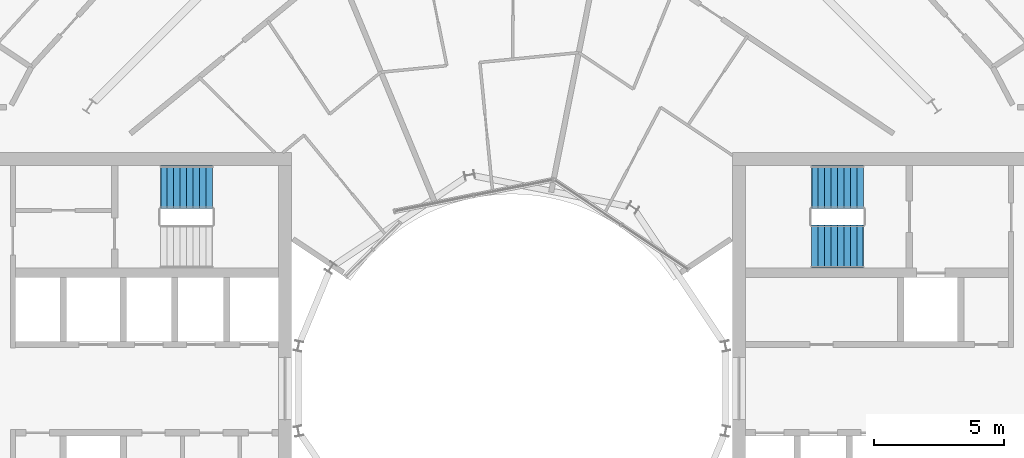
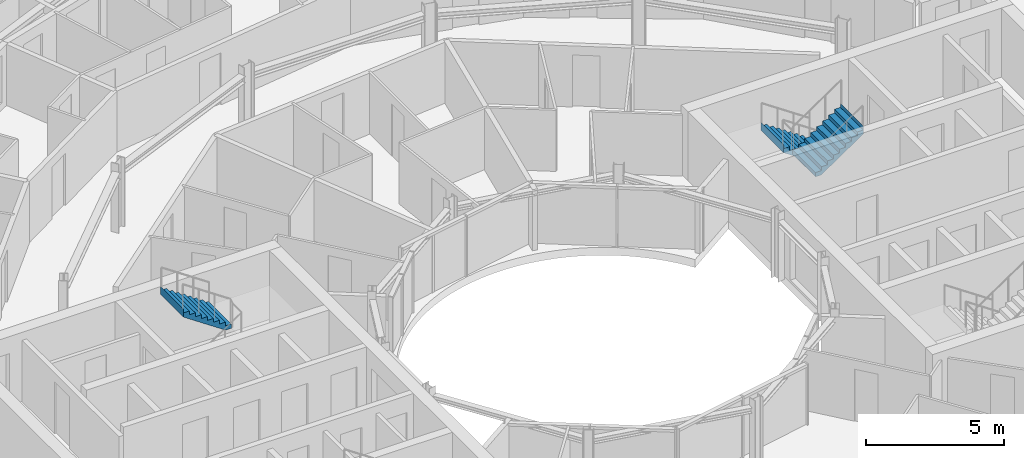
# One storey, part 25 of 27: 3 stair flights, 2 elements without a shape of their own.
"""IFC4 building model written with IfcOpenShell, lengths in metres."""

from ifc_helpers import new_model, si_unit, direction, frame, origin, place, context, subcontext, project, spatial, triangles, material, type_object, element, aggregate, save


model = new_model("IFC4")

# Units and contexts
model_context = context("Model", 3, precision=1e-05, world=origin(), true_north=direction((0.0, 1.0)))
body_context = subcontext(model_context, "Body", "Model", "MODEL_VIEW")
ifc_project = project(units=[si_unit("LENGTHUNIT", "METRE"), si_unit("AREAUNIT", "SQUARE_METRE"), si_unit("VOLUMEUNIT", "CUBIC_METRE"), si_unit("PLANEANGLEUNIT", "RADIAN"), si_unit("MASSUNIT", "GRAM", prefix="KILO")], contexts=[model_context])

# Site, building, storey
site_placement = place(None, origin())
site = spatial("IfcSite", under=ifc_project, at=site_placement, CompositionType="ELEMENT")
building_placement = place(site_placement, origin())
building = spatial("IfcBuilding", under=site, at=building_placement, Name="Maasbend Ring Residences", CompositionType="ELEMENT")
storey_placement = place(building_placement, frame((0.0, 0.0, 148.25)))
storey = spatial("IfcBuildingStorey", under=building, at=storey_placement, Name="L42", CompositionType="ELEMENT", Elevation=148.25)

# Stair, stair flights
ifc_material_1 = material(Name="Concrete C40/50", Category="concrete")
stair_type = type_object("IfcStairType", Name="CORE STAIR 18 RISERS", PredefinedType="HALF_TURN_STAIR", material=ifc_material_1)
stair_1_placement = place(storey_placement, origin())
stair_1 = element("IfcStair", 1, at=stair_1_placement, inside=storey, type_object=stair_type, Name="L42 Exit stair ST-E1", PredefinedType="HALF_TURN_STAIR")
ifc_material_2 = material(Name="Concrete C40/50", Category="concrete")
stair_flight_type = type_object("IfcStairFlightType", Name="CORE STAIR FLIGHT 1650", PredefinedType="STRAIGHT", material=ifc_material_2)
stair_flight_1_placement = place(storey_placement, frame((13.550048828125, 7.77490234375, 0.0), z_axis=(0.0, 0.0, 1.0), x_axis=(-1.0, 0.0, 0.0)))
stair_flight_1 = element("IfcStairFlight", 2, at=stair_flight_1_placement, type_object=stair_flight_type, Name="ST-E1 flight 1", NumberOfRisers=9, NumberOfTreads=8, PredefinedType="STRAIGHT", RiserHeight=0.169444444, TreadLength=0.25, context=body_context, shape_type="Tessellation", body=[
    triangles([(0.24072265625, 0.824951171875, -0.02001953125), (2.0029296875, 0.824951171875, 1.174560546875), (2.0029296875, 0.824951171875, 1.52490234375), (1.989990234375, 0.824951171875, 1.35546875), (1.75, 0.824951171875, 1.35546875), (1.75, 0.824951171875, 1.18603515625), (1.5, 0.824951171875, 1.18603515625), (1.5, 0.824951171875, 1.0166015625), (1.25, 0.824951171875, 1.0166015625), (1.25, 0.824951171875, 0.84716796875), (1.0, 0.824951171875, 0.84716796875), (1.0, 0.824951171875, 0.677734375), (0.75, 0.824951171875, 0.677734375), (0.75, 0.824951171875, 0.50830078125), (0.5, 0.824951171875, 0.50830078125), (0.5, 0.824951171875, 0.3388671875), (0.25, 0.824951171875, 0.3388671875), (0.25, 0.824951171875, 0.16943359375), (0.0, 0.824951171875, 0.16943359375), (0.0, 0.824951171875, 0.0), (-0.0029296875, 0.824951171875, 0.0), (-0.0029296875, 0.824951171875, -0.02001953125), (0.24072265625, 0.27490234375, -0.02001953125), (2.0029296875, 0.27490234375, 1.174560546875), (2.0029296875, 0.27490234375, 1.52490234375), (1.989990234375, 0.27490234375, 1.35546875), (1.75, 0.27490234375, 1.35546875), (1.75, 0.27490234375, 1.18603515625), (1.5, 0.27490234375, 1.18603515625), (1.5, 0.27490234375, 1.0166015625), (1.25, 0.27490234375, 1.0166015625), (1.25, 0.27490234375, 0.84716796875), (1.0, 0.27490234375, 0.84716796875), (1.0, 0.27490234375, 0.677734375), (0.75, 0.27490234375, 0.677734375), (0.75, 0.27490234375, 0.50830078125), (0.5, 0.27490234375, 0.50830078125), (0.5, 0.27490234375, 0.3388671875), (0.25, 0.27490234375, 0.3388671875), (0.25, 0.27490234375, 0.16943359375), (0.0, 0.27490234375, 0.16943359375), (0.0, 0.27490234375, 0.0), (-0.0029296875, 0.27490234375, 0.0), (-0.0029296875, 0.27490234375, -0.02001953125), (0.24072265625, -0.27490234375, -0.02001953125), (2.0029296875, -0.27490234375, 1.174560546875), (2.0029296875, -0.27490234375, 1.52490234375), (1.989990234375, -0.27490234375, 1.35546875), (1.75, -0.27490234375, 1.35546875), (1.75, -0.27490234375, 1.18603515625), (1.5, -0.27490234375, 1.18603515625), (1.5, -0.27490234375, 1.0166015625), (1.25, -0.27490234375, 1.0166015625), (1.25, -0.27490234375, 0.84716796875), (1.0, -0.27490234375, 0.84716796875), (1.0, -0.27490234375, 0.677734375), (0.75, -0.27490234375, 0.677734375), (0.75, -0.27490234375, 0.50830078125), (0.5, -0.27490234375, 0.50830078125), (0.5, -0.27490234375, 0.3388671875), (0.25, -0.27490234375, 0.3388671875), (0.25, -0.27490234375, 0.16943359375), (0.0, -0.27490234375, 0.16943359375), (0.0, -0.27490234375, 0.0), (-0.0029296875, -0.27490234375, 0.0), (-0.0029296875, -0.27490234375, -0.02001953125), (0.24072265625, -0.824951171875, -0.02001953125), (2.0029296875, -0.824951171875, 1.174560546875), (2.0029296875, -0.824951171875, 1.52490234375), (1.989990234375, -0.824951171875, 1.35546875), (1.75, -0.824951171875, 1.35546875), (1.75, -0.824951171875, 1.18603515625), (1.5, -0.824951171875, 1.18603515625), (1.5, -0.824951171875, 1.0166015625), (1.25, -0.824951171875, 1.0166015625), (1.25, -0.824951171875, 0.84716796875), (1.0, -0.824951171875, 0.84716796875), (1.0, -0.824951171875, 0.677734375), (0.75, -0.824951171875, 0.677734375), (0.75, -0.824951171875, 0.50830078125), (0.5, -0.824951171875, 0.50830078125), (0.5, -0.824951171875, 0.3388671875), (0.25, -0.824951171875, 0.3388671875), (0.25, -0.824951171875, 0.16943359375), (0.0, -0.824951171875, 0.16943359375), (0.0, -0.824951171875, 0.0), (-0.0029296875, -0.824951171875, 0.0), (-0.0029296875, -0.824951171875, -0.02001953125)], [[1, 2, 24], [1, 24, 23], [23, 24, 46], [23, 46, 45], [45, 46, 68], [45, 68, 67], [2, 3, 25], [2, 25, 24], [24, 25, 47], [24, 47, 46], [46, 47, 69], [46, 69, 68], [3, 4, 26], [3, 26, 25], [25, 26, 48], [25, 48, 47], [47, 48, 70], [47, 70, 69], [4, 5, 27], [4, 27, 26], [26, 27, 49], [26, 49, 48], [48, 49, 71], [48, 71, 70], [5, 6, 28], [5, 28, 27], [27, 28, 50], [27, 50, 49], [49, 50, 72], [49, 72, 71], [6, 7, 29], [6, 29, 28], [28, 29, 51], [28, 51, 50], [50, 51, 73], [50, 73, 72], [7, 8, 30], [7, 30, 29], [29, 30, 52], [29, 52, 51], [51, 52, 74], [51, 74, 73], [8, 9, 31], [8, 31, 30], [30, 31, 53], [30, 53, 52], [52, 53, 75], [52, 75, 74], [9, 10, 32], [9, 32, 31], [31, 32, 54], [31, 54, 53], [53, 54, 76], [53, 76, 75], [10, 11, 33], [10, 33, 32], [32, 33, 55], [32, 55, 54], [54, 55, 77], [54, 77, 76], [11, 12, 34], [11, 34, 33], [33, 34, 56], [33, 56, 55], [55, 56, 78], [55, 78, 77], [12, 13, 35], [12, 35, 34], [34, 35, 57], [34, 57, 56], [56, 57, 79], [56, 79, 78], [13, 14, 36], [13, 36, 35], [35, 36, 58], [35, 58, 57], [57, 58, 80], [57, 80, 79], [14, 15, 37], [14, 37, 36], [36, 37, 59], [36, 59, 58], [58, 59, 81], [58, 81, 80], [15, 16, 38], [15, 38, 37], [37, 38, 60], [37, 60, 59], [59, 60, 82], [59, 82, 81], [16, 17, 39], [16, 39, 38], [38, 39, 61], [38, 61, 60], [60, 61, 83], [60, 83, 82], [17, 18, 40], [17, 40, 39], [39, 40, 62], [39, 62, 61], [61, 62, 84], [61, 84, 83], [18, 19, 41], [18, 41, 40], [40, 41, 63], [40, 63, 62], [62, 63, 85], [62, 85, 84], [19, 20, 42], [19, 42, 41], [41, 42, 64], [41, 64, 63], [63, 64, 86], [63, 86, 85], [20, 21, 43], [20, 43, 42], [42, 43, 65], [42, 65, 64], [64, 65, 87], [64, 87, 86], [21, 22, 44], [21, 44, 43], [43, 44, 66], [43, 66, 65], [65, 66, 88], [65, 88, 87], [22, 1, 23], [22, 23, 44], [44, 23, 45], [44, 45, 66], [66, 45, 67], [66, 67, 88], [22, 2, 1], [2, 4, 3], [2, 5, 4], [2, 6, 5], [22, 6, 2], [6, 8, 7], [22, 8, 6], [8, 10, 9], [22, 10, 8], [10, 12, 11], [22, 12, 10], [12, 14, 13], [22, 14, 12], [14, 16, 15], [22, 16, 14], [16, 18, 17], [22, 18, 16], [18, 20, 19], [22, 20, 18], [20, 22, 21], [88, 67, 68], [68, 69, 70], [68, 70, 71], [68, 71, 72], [88, 68, 72], [72, 73, 74], [88, 72, 74], [74, 75, 76], [88, 74, 76], [76, 77, 78], [88, 76, 78], [78, 79, 80], [88, 78, 80], [80, 81, 82], [88, 80, 82], [82, 83, 84], [88, 82, 84], [84, 85, 86], [88, 84, 86], [86, 87, 88]], closed=True),
])
stair_flight_2_placement = place(storey_placement, frame((11.550048828125, 5.47509765625, 1.52490234375), z_axis=(0.0, 0.0, 1.0), x_axis=(1.0, 0.0, 0.0)))
stair_flight_2 = element("IfcStairFlight", 3, at=stair_flight_2_placement, type_object=stair_flight_type, Name="ST-E1 flight 2", NumberOfRisers=9, NumberOfTreads=8, PredefinedType="STRAIGHT", RiserHeight=0.169444444, TreadLength=0.25, context=body_context, shape_type="Tessellation", body=[
    triangles([(0.24072265625, 0.824951171875, -0.02001953125), (2.0029296875, 0.824951171875, 1.174560546875), (2.0029296875, 0.824951171875, 1.52490234375), (1.989990234375, 0.824951171875, 1.35546875), (1.75, 0.824951171875, 1.35546875), (1.75, 0.824951171875, 1.18603515625), (1.5, 0.824951171875, 1.18603515625), (1.5, 0.824951171875, 1.0166015625), (1.25, 0.824951171875, 1.0166015625), (1.25, 0.824951171875, 0.84716796875), (1.0, 0.824951171875, 0.84716796875), (1.0, 0.824951171875, 0.677734375), (0.75, 0.824951171875, 0.677734375), (0.75, 0.824951171875, 0.50830078125), (0.5, 0.824951171875, 0.50830078125), (0.5, 0.824951171875, 0.3388671875), (0.25, 0.824951171875, 0.3388671875), (0.25, 0.824951171875, 0.16943359375), (0.0, 0.824951171875, 0.16943359375), (0.0, 0.824951171875, 0.0), (-0.0029296875, 0.824951171875, 0.0), (-0.0029296875, 0.824951171875, -0.02001953125), (0.24072265625, 0.27490234375, -0.02001953125), (2.0029296875, 0.27490234375, 1.174560546875), (2.0029296875, 0.27490234375, 1.52490234375), (1.989990234375, 0.27490234375, 1.35546875), (1.75, 0.27490234375, 1.35546875), (1.75, 0.27490234375, 1.18603515625), (1.5, 0.27490234375, 1.18603515625), (1.5, 0.27490234375, 1.0166015625), (1.25, 0.27490234375, 1.0166015625), (1.25, 0.27490234375, 0.84716796875), (1.0, 0.27490234375, 0.84716796875), (1.0, 0.27490234375, 0.677734375), (0.75, 0.27490234375, 0.677734375), (0.75, 0.27490234375, 0.50830078125), (0.5, 0.27490234375, 0.50830078125), (0.5, 0.27490234375, 0.3388671875), (0.25, 0.27490234375, 0.3388671875), (0.25, 0.27490234375, 0.16943359375), (0.0, 0.27490234375, 0.16943359375), (0.0, 0.27490234375, 0.0), (-0.0029296875, 0.27490234375, 0.0), (-0.0029296875, 0.27490234375, -0.02001953125), (0.24072265625, -0.27490234375, -0.02001953125), (2.0029296875, -0.27490234375, 1.174560546875), (2.0029296875, -0.27490234375, 1.52490234375), (1.989990234375, -0.27490234375, 1.35546875), (1.75, -0.27490234375, 1.35546875), (1.75, -0.27490234375, 1.18603515625), (1.5, -0.27490234375, 1.18603515625), (1.5, -0.27490234375, 1.0166015625), (1.25, -0.27490234375, 1.0166015625), (1.25, -0.27490234375, 0.84716796875), (1.0, -0.27490234375, 0.84716796875), (1.0, -0.27490234375, 0.677734375), (0.75, -0.27490234375, 0.677734375), (0.75, -0.27490234375, 0.50830078125), (0.5, -0.27490234375, 0.50830078125), (0.5, -0.27490234375, 0.3388671875), (0.25, -0.27490234375, 0.3388671875), (0.25, -0.27490234375, 0.16943359375), (0.0, -0.27490234375, 0.16943359375), (0.0, -0.27490234375, 0.0), (-0.0029296875, -0.27490234375, 0.0), (-0.0029296875, -0.27490234375, -0.02001953125), (0.24072265625, -0.824951171875, -0.02001953125), (2.0029296875, -0.824951171875, 1.174560546875), (2.0029296875, -0.824951171875, 1.52490234375), (1.989990234375, -0.824951171875, 1.35546875), (1.75, -0.824951171875, 1.35546875), (1.75, -0.824951171875, 1.18603515625), (1.5, -0.824951171875, 1.18603515625), (1.5, -0.824951171875, 1.0166015625), (1.25, -0.824951171875, 1.0166015625), (1.25, -0.824951171875, 0.84716796875), (1.0, -0.824951171875, 0.84716796875), (1.0, -0.824951171875, 0.677734375), (0.75, -0.824951171875, 0.677734375), (0.75, -0.824951171875, 0.50830078125), (0.5, -0.824951171875, 0.50830078125), (0.5, -0.824951171875, 0.3388671875), (0.25, -0.824951171875, 0.3388671875), (0.25, -0.824951171875, 0.16943359375), (0.0, -0.824951171875, 0.16943359375), (0.0, -0.824951171875, 0.0), (-0.0029296875, -0.824951171875, 0.0), (-0.0029296875, -0.824951171875, -0.02001953125)], [[1, 2, 24], [1, 24, 23], [23, 24, 46], [23, 46, 45], [45, 46, 68], [45, 68, 67], [2, 3, 25], [2, 25, 24], [24, 25, 47], [24, 47, 46], [46, 47, 69], [46, 69, 68], [3, 4, 26], [3, 26, 25], [25, 26, 48], [25, 48, 47], [47, 48, 70], [47, 70, 69], [4, 5, 27], [4, 27, 26], [26, 27, 49], [26, 49, 48], [48, 49, 71], [48, 71, 70], [5, 6, 28], [5, 28, 27], [27, 28, 50], [27, 50, 49], [49, 50, 72], [49, 72, 71], [6, 7, 29], [6, 29, 28], [28, 29, 51], [28, 51, 50], [50, 51, 73], [50, 73, 72], [7, 8, 30], [7, 30, 29], [29, 30, 52], [29, 52, 51], [51, 52, 74], [51, 74, 73], [8, 9, 31], [8, 31, 30], [30, 31, 53], [30, 53, 52], [52, 53, 75], [52, 75, 74], [9, 10, 32], [9, 32, 31], [31, 32, 54], [31, 54, 53], [53, 54, 76], [53, 76, 75], [10, 11, 33], [10, 33, 32], [32, 33, 55], [32, 55, 54], [54, 55, 77], [54, 77, 76], [11, 12, 34], [11, 34, 33], [33, 34, 56], [33, 56, 55], [55, 56, 78], [55, 78, 77], [12, 13, 35], [12, 35, 34], [34, 35, 57], [34, 57, 56], [56, 57, 79], [56, 79, 78], [13, 14, 36], [13, 36, 35], [35, 36, 58], [35, 58, 57], [57, 58, 80], [57, 80, 79], [14, 15, 37], [14, 37, 36], [36, 37, 59], [36, 59, 58], [58, 59, 81], [58, 81, 80], [15, 16, 38], [15, 38, 37], [37, 38, 60], [37, 60, 59], [59, 60, 82], [59, 82, 81], [16, 17, 39], [16, 39, 38], [38, 39, 61], [38, 61, 60], [60, 61, 83], [60, 83, 82], [17, 18, 40], [17, 40, 39], [39, 40, 62], [39, 62, 61], [61, 62, 84], [61, 84, 83], [18, 19, 41], [18, 41, 40], [40, 41, 63], [40, 63, 62], [62, 63, 85], [62, 85, 84], [19, 20, 42], [19, 42, 41], [41, 42, 64], [41, 64, 63], [63, 64, 86], [63, 86, 85], [20, 21, 43], [20, 43, 42], [42, 43, 65], [42, 65, 64], [64, 65, 87], [64, 87, 86], [21, 22, 44], [21, 44, 43], [43, 44, 66], [43, 66, 65], [65, 66, 88], [65, 88, 87], [22, 1, 23], [22, 23, 44], [44, 23, 45], [44, 45, 66], [66, 45, 67], [66, 67, 88], [22, 2, 1], [2, 4, 3], [2, 5, 4], [2, 6, 5], [22, 6, 2], [6, 8, 7], [22, 8, 6], [8, 10, 9], [22, 10, 8], [10, 12, 11], [22, 12, 10], [12, 14, 13], [22, 14, 12], [14, 16, 15], [22, 16, 14], [16, 18, 17], [22, 18, 16], [18, 20, 19], [22, 20, 18], [20, 22, 21], [88, 67, 68], [68, 69, 70], [68, 70, 71], [68, 71, 72], [88, 68, 72], [72, 73, 74], [88, 72, 74], [74, 75, 76], [88, 74, 76], [76, 77, 78], [88, 76, 78], [78, 79, 80], [88, 78, 80], [80, 81, 82], [88, 80, 82], [82, 83, 84], [88, 82, 84], [84, 85, 86], [88, 84, 86], [86, 87, 88]], closed=True),
])
aggregate(stair_1, [stair_flight_1, stair_flight_2])

# Stair, stair flight
stair_2_placement = place(storey_placement, origin())
stair_2 = element("IfcStair", 4, at=stair_2_placement, inside=storey, type_object=stair_type, Name="L42 Exit stair ST-W2", PredefinedType="HALF_TURN_STAIR")
stair_flight_3_placement = place(storey_placement, frame((-11.550048828125, 7.77490234375, 1.52490234375), z_axis=(0.0, 0.0, 1.0), x_axis=(-1.0, 0.0, 0.0)))
stair_flight_3 = element("IfcStairFlight", 5, at=stair_flight_3_placement, type_object=stair_flight_type, Name="ST-W2 flight 2", NumberOfRisers=9, NumberOfTreads=8, PredefinedType="STRAIGHT", RiserHeight=0.169444444, TreadLength=0.25, context=body_context, shape_type="Tessellation", body=[
    triangles([(0.24072265625, 0.824951171875, -0.02001953125), (2.0029296875, 0.824951171875, 1.174560546875), (2.0029296875, 0.824951171875, 1.52490234375), (1.989990234375, 0.824951171875, 1.35546875), (1.75, 0.824951171875, 1.35546875), (1.75, 0.824951171875, 1.18603515625), (1.5, 0.824951171875, 1.18603515625), (1.5, 0.824951171875, 1.0166015625), (1.25, 0.824951171875, 1.0166015625), (1.25, 0.824951171875, 0.84716796875), (1.0, 0.824951171875, 0.84716796875), (1.0, 0.824951171875, 0.677734375), (0.75, 0.824951171875, 0.677734375), (0.75, 0.824951171875, 0.50830078125), (0.5, 0.824951171875, 0.50830078125), (0.5, 0.824951171875, 0.3388671875), (0.25, 0.824951171875, 0.3388671875), (0.25, 0.824951171875, 0.16943359375), (0.0, 0.824951171875, 0.16943359375), (0.0, 0.824951171875, 0.0), (-0.0029296875, 0.824951171875, 0.0), (-0.0029296875, 0.824951171875, -0.02001953125), (0.24072265625, 0.27490234375, -0.02001953125), (2.0029296875, 0.27490234375, 1.174560546875), (2.0029296875, 0.27490234375, 1.52490234375), (1.989990234375, 0.27490234375, 1.35546875), (1.75, 0.27490234375, 1.35546875), (1.75, 0.27490234375, 1.18603515625), (1.5, 0.27490234375, 1.18603515625), (1.5, 0.27490234375, 1.0166015625), (1.25, 0.27490234375, 1.0166015625), (1.25, 0.27490234375, 0.84716796875), (1.0, 0.27490234375, 0.84716796875), (1.0, 0.27490234375, 0.677734375), (0.75, 0.27490234375, 0.677734375), (0.75, 0.27490234375, 0.50830078125), (0.5, 0.27490234375, 0.50830078125), (0.5, 0.27490234375, 0.3388671875), (0.25, 0.27490234375, 0.3388671875), (0.25, 0.27490234375, 0.16943359375), (0.0, 0.27490234375, 0.16943359375), (0.0, 0.27490234375, 0.0), (-0.0029296875, 0.27490234375, 0.0), (-0.0029296875, 0.27490234375, -0.02001953125), (0.24072265625, -0.27490234375, -0.02001953125), (2.0029296875, -0.27490234375, 1.174560546875), (2.0029296875, -0.27490234375, 1.52490234375), (1.989990234375, -0.27490234375, 1.35546875), (1.75, -0.27490234375, 1.35546875), (1.75, -0.27490234375, 1.18603515625), (1.5, -0.27490234375, 1.18603515625), (1.5, -0.27490234375, 1.0166015625), (1.25, -0.27490234375, 1.0166015625), (1.25, -0.27490234375, 0.84716796875), (1.0, -0.27490234375, 0.84716796875), (1.0, -0.27490234375, 0.677734375), (0.75, -0.27490234375, 0.677734375), (0.75, -0.27490234375, 0.50830078125), (0.5, -0.27490234375, 0.50830078125), (0.5, -0.27490234375, 0.3388671875), (0.25, -0.27490234375, 0.3388671875), (0.25, -0.27490234375, 0.16943359375), (0.0, -0.27490234375, 0.16943359375), (0.0, -0.27490234375, 0.0), (-0.0029296875, -0.27490234375, 0.0), (-0.0029296875, -0.27490234375, -0.02001953125), (0.24072265625, -0.824951171875, -0.02001953125), (2.0029296875, -0.824951171875, 1.174560546875), (2.0029296875, -0.824951171875, 1.52490234375), (1.989990234375, -0.824951171875, 1.35546875), (1.75, -0.824951171875, 1.35546875), (1.75, -0.824951171875, 1.18603515625), (1.5, -0.824951171875, 1.18603515625), (1.5, -0.824951171875, 1.0166015625), (1.25, -0.824951171875, 1.0166015625), (1.25, -0.824951171875, 0.84716796875), (1.0, -0.824951171875, 0.84716796875), (1.0, -0.824951171875, 0.677734375), (0.75, -0.824951171875, 0.677734375), (0.75, -0.824951171875, 0.50830078125), (0.5, -0.824951171875, 0.50830078125), (0.5, -0.824951171875, 0.3388671875), (0.25, -0.824951171875, 0.3388671875), (0.25, -0.824951171875, 0.16943359375), (0.0, -0.824951171875, 0.16943359375), (0.0, -0.824951171875, 0.0), (-0.0029296875, -0.824951171875, 0.0), (-0.0029296875, -0.824951171875, -0.02001953125)], [[1, 2, 24], [1, 24, 23], [23, 24, 46], [23, 46, 45], [45, 46, 68], [45, 68, 67], [2, 3, 25], [2, 25, 24], [24, 25, 47], [24, 47, 46], [46, 47, 69], [46, 69, 68], [3, 4, 26], [3, 26, 25], [25, 26, 48], [25, 48, 47], [47, 48, 70], [47, 70, 69], [4, 5, 27], [4, 27, 26], [26, 27, 49], [26, 49, 48], [48, 49, 71], [48, 71, 70], [5, 6, 28], [5, 28, 27], [27, 28, 50], [27, 50, 49], [49, 50, 72], [49, 72, 71], [6, 7, 29], [6, 29, 28], [28, 29, 51], [28, 51, 50], [50, 51, 73], [50, 73, 72], [7, 8, 30], [7, 30, 29], [29, 30, 52], [29, 52, 51], [51, 52, 74], [51, 74, 73], [8, 9, 31], [8, 31, 30], [30, 31, 53], [30, 53, 52], [52, 53, 75], [52, 75, 74], [9, 10, 32], [9, 32, 31], [31, 32, 54], [31, 54, 53], [53, 54, 76], [53, 76, 75], [10, 11, 33], [10, 33, 32], [32, 33, 55], [32, 55, 54], [54, 55, 77], [54, 77, 76], [11, 12, 34], [11, 34, 33], [33, 34, 56], [33, 56, 55], [55, 56, 78], [55, 78, 77], [12, 13, 35], [12, 35, 34], [34, 35, 57], [34, 57, 56], [56, 57, 79], [56, 79, 78], [13, 14, 36], [13, 36, 35], [35, 36, 58], [35, 58, 57], [57, 58, 80], [57, 80, 79], [14, 15, 37], [14, 37, 36], [36, 37, 59], [36, 59, 58], [58, 59, 81], [58, 81, 80], [15, 16, 38], [15, 38, 37], [37, 38, 60], [37, 60, 59], [59, 60, 82], [59, 82, 81], [16, 17, 39], [16, 39, 38], [38, 39, 61], [38, 61, 60], [60, 61, 83], [60, 83, 82], [17, 18, 40], [17, 40, 39], [39, 40, 62], [39, 62, 61], [61, 62, 84], [61, 84, 83], [18, 19, 41], [18, 41, 40], [40, 41, 63], [40, 63, 62], [62, 63, 85], [62, 85, 84], [19, 20, 42], [19, 42, 41], [41, 42, 64], [41, 64, 63], [63, 64, 86], [63, 86, 85], [20, 21, 43], [20, 43, 42], [42, 43, 65], [42, 65, 64], [64, 65, 87], [64, 87, 86], [21, 22, 44], [21, 44, 43], [43, 44, 66], [43, 66, 65], [65, 66, 88], [65, 88, 87], [22, 1, 23], [22, 23, 44], [44, 23, 45], [44, 45, 66], [66, 45, 67], [66, 67, 88], [22, 2, 1], [2, 4, 3], [2, 5, 4], [2, 6, 5], [22, 6, 2], [6, 8, 7], [22, 8, 6], [8, 10, 9], [22, 10, 8], [10, 12, 11], [22, 12, 10], [12, 14, 13], [22, 14, 12], [14, 16, 15], [22, 16, 14], [16, 18, 17], [22, 18, 16], [18, 20, 19], [22, 20, 18], [20, 22, 21], [88, 67, 68], [68, 69, 70], [68, 70, 71], [68, 71, 72], [88, 68, 72], [72, 73, 74], [88, 72, 74], [74, 75, 76], [88, 74, 76], [76, 77, 78], [88, 76, 78], [78, 79, 80], [88, 78, 80], [80, 81, 82], [88, 80, 82], [82, 83, 84], [88, 82, 84], [84, 85, 86], [88, 84, 86], [86, 87, 88]], closed=True),
])
aggregate(stair_2, [stair_flight_3])

save(model, "model.ifc")
